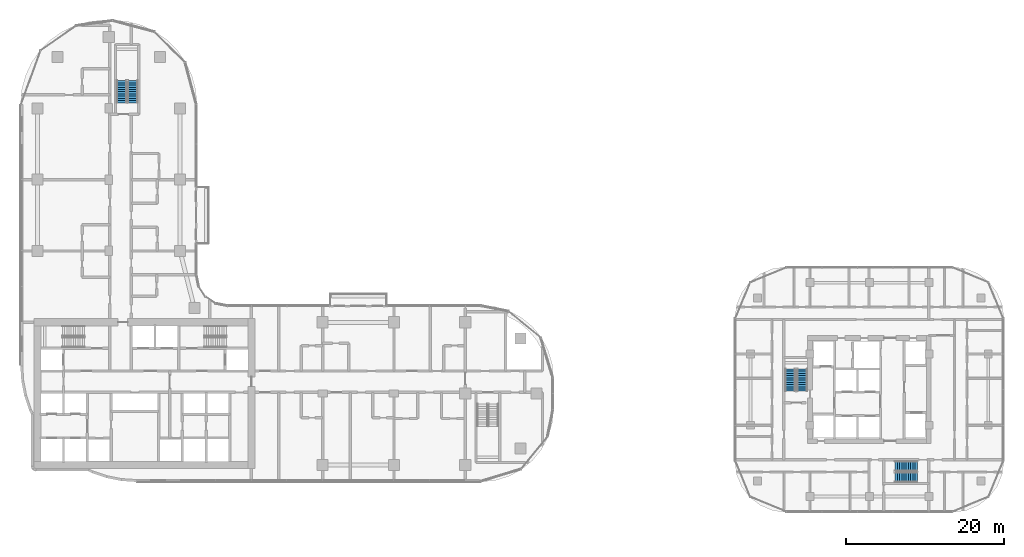
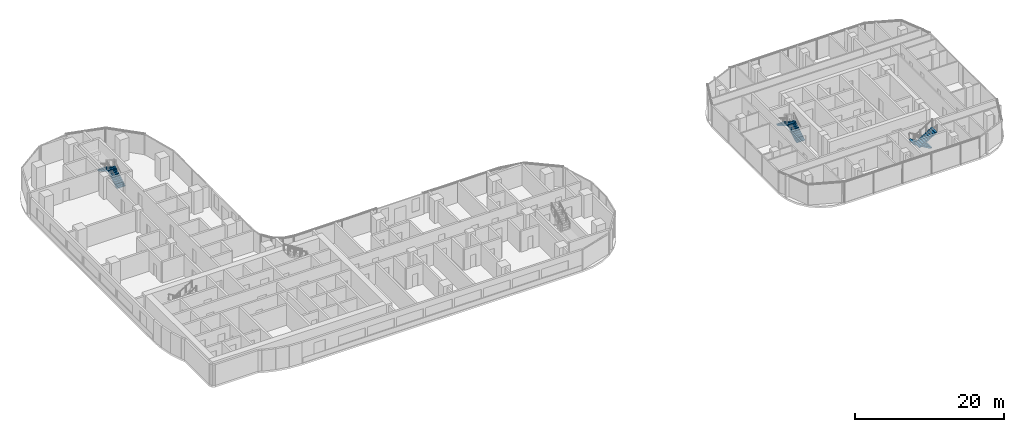
# One storey, part 26 of 32: 6 stair flights, 3 elements without a shape of their own.
"""IFC4 building model written with IfcOpenShell, lengths in metres."""

from ifc_helpers import new_model, si_unit, direction, frame, origin, place, context, subcontext, project, spatial, triangles, source, transform, mapped, material, type_object, element, aggregate, save


model = new_model("IFC4")

# Units and contexts
model_context = context("Model", 3, precision=1e-05, world=origin(), true_north=direction((0.0, 1.0)))
body_context = subcontext(model_context, "Body", "Model", "MODEL_VIEW")
ifc_project = project(units=[si_unit("LENGTHUNIT", "METRE"), si_unit("AREAUNIT", "SQUARE_METRE"), si_unit("VOLUMEUNIT", "CUBIC_METRE"), si_unit("PLANEANGLEUNIT", "RADIAN"), si_unit("MASSUNIT", "GRAM", prefix="KILO")], contexts=[model_context])

# Site, building, storey
site_placement = place(None, origin())
site = spatial("IfcSite", under=ifc_project, at=site_placement, CompositionType="ELEMENT")
building_placement = place(site_placement, origin())
building = spatial("IfcBuilding", under=site, at=building_placement, Name="Ogive Portal Towers", CompositionType="ELEMENT")
storey_placement = place(building_placement, frame((0.0, 0.0, 55.699951171875)))
storey = spatial("IfcBuildingStorey", under=building, at=storey_placement, Name="L12", CompositionType="ELEMENT", Elevation=55.699951171875)

# Stair, stair flights
ifc_material = material(Name="Concrete C40/50", Category="concrete")
stair_type = type_object("IfcStairType", Name="INT-STAIR", PredefinedType="HALF_TURN_STAIR", material=ifc_material)
stair_1_placement = place(storey_placement, origin())
stair_1 = element("IfcStair", 1, at=stair_1_placement, inside=storey, type_object=stair_type, Name="L12 Exit Stair ST-A3", PredefinedType="HALF_TURN_STAIR")
stair_flight_type = type_object("IfcStairFlightType", Name="INT-FLIGHT", PredefinedType="STRAIGHT", material=ifc_material)
shared_shape = source(origin(), body_context, "Body", "Tessellation", [
    triangles([(0.0, -0.650146484375, 0.0), (0.0, -0.376220703125, 0.0), (0.0, -0.192626953125, 0.0), (0.0, -0.081298828125, 0.0), (0.0, -0.024169921875, 0.0), (0.0, -0.003173828125, 0.0), (0.0, 0.0, 0.0), (0.0, 0.0029296875, 0.0), (0.0, 0.02392578125, 0.0), (0.0, 0.0810546875, 0.0), (0.0, 0.1923828125, 0.0), (0.0, 0.3759765625, 0.0), (0.0, 0.64990234375, 0.0), (0.0, -0.650146484375, 0.168212890625), (0.0, -0.376220703125, 0.168212890625), (0.0, -0.192626953125, 0.168212890625), (0.0, -0.081298828125, 0.168212890625), (0.0, -0.024169921875, 0.168212890625), (0.0, -0.003173828125, 0.168212890625), (0.0, 0.0, 0.168212890625), (0.0, 0.0029296875, 0.168212890625), (0.0, 0.02392578125, 0.168212890625), (0.0, 0.0810546875, 0.168212890625), (0.0, 0.1923828125, 0.168212890625), (0.0, 0.3759765625, 0.168212890625), (0.0, 0.64990234375, 0.168212890625), (0.280029296875, -0.650146484375, 0.168212890625), (0.280029296875, -0.376220703125, 0.168212890625), (0.280029296875, -0.192626953125, 0.168212890625), (0.280029296875, -0.081298828125, 0.168212890625), (0.280029296875, -0.024169921875, 0.168212890625), (0.280029296875, -0.003173828125, 0.168212890625), (0.280029296875, 0.0, 0.168212890625), (0.280029296875, 0.0029296875, 0.168212890625), (0.280029296875, 0.02392578125, 0.168212890625), (0.280029296875, 0.0810546875, 0.168212890625), (0.280029296875, 0.1923828125, 0.168212890625), (0.280029296875, 0.3759765625, 0.168212890625), (0.280029296875, 0.64990234375, 0.168212890625), (0.280029296875, -0.650146484375, 0.33642578125), (0.280029296875, -0.376220703125, 0.33642578125), (0.280029296875, -0.192626953125, 0.33642578125), (0.280029296875, -0.081298828125, 0.33642578125), (0.280029296875, -0.024169921875, 0.33642578125), (0.280029296875, -0.003173828125, 0.33642578125), (0.280029296875, 0.0, 0.33642578125), (0.280029296875, 0.0029296875, 0.33642578125), (0.280029296875, 0.02392578125, 0.33642578125), (0.280029296875, 0.0810546875, 0.33642578125), (0.280029296875, 0.1923828125, 0.33642578125), (0.280029296875, 0.3759765625, 0.33642578125), (0.280029296875, 0.64990234375, 0.33642578125), (0.56005859375, -0.650146484375, 0.33642578125), (0.56005859375, -0.376220703125, 0.33642578125), (0.56005859375, -0.192626953125, 0.33642578125), (0.56005859375, -0.081298828125, 0.33642578125), (0.56005859375, -0.024169921875, 0.33642578125), (0.56005859375, -0.003173828125, 0.33642578125), (0.56005859375, 0.0, 0.33642578125), (0.56005859375, 0.0029296875, 0.33642578125), (0.56005859375, 0.02392578125, 0.33642578125), (0.56005859375, 0.0810546875, 0.33642578125), (0.56005859375, 0.1923828125, 0.33642578125), (0.56005859375, 0.3759765625, 0.33642578125), (0.56005859375, 0.64990234375, 0.33642578125), (0.56005859375, -0.650146484375, 0.504638671875), (0.56005859375, -0.376220703125, 0.504638671875), (0.56005859375, -0.192626953125, 0.504638671875), (0.56005859375, -0.081298828125, 0.504638671875), (0.56005859375, -0.024169921875, 0.504638671875), (0.56005859375, -0.003173828125, 0.504638671875), (0.56005859375, 0.0, 0.504638671875), (0.56005859375, 0.0029296875, 0.504638671875), (0.56005859375, 0.02392578125, 0.504638671875), (0.56005859375, 0.0810546875, 0.504638671875), (0.56005859375, 0.1923828125, 0.504638671875), (0.56005859375, 0.3759765625, 0.504638671875), (0.56005859375, 0.64990234375, 0.504638671875), (0.840087890625, -0.650146484375, 0.504638671875), (0.840087890625, -0.376220703125, 0.504638671875), (0.840087890625, -0.192626953125, 0.504638671875), (0.840087890625, -0.081298828125, 0.504638671875), (0.840087890625, -0.024169921875, 0.504638671875), (0.840087890625, -0.003173828125, 0.504638671875), (0.840087890625, 0.0, 0.504638671875), (0.840087890625, 0.0029296875, 0.504638671875), (0.840087890625, 0.02392578125, 0.504638671875), (0.840087890625, 0.0810546875, 0.504638671875), (0.840087890625, 0.1923828125, 0.504638671875), (0.840087890625, 0.3759765625, 0.504638671875), (0.840087890625, 0.64990234375, 0.504638671875), (0.840087890625, -0.650146484375, 0.672607421875), (0.840087890625, -0.376220703125, 0.672607421875), (0.840087890625, -0.192626953125, 0.672607421875), (0.840087890625, -0.081298828125, 0.672607421875), (0.840087890625, -0.024169921875, 0.672607421875), (0.840087890625, -0.003173828125, 0.672607421875), (0.840087890625, 0.0, 0.672607421875), (0.840087890625, 0.0029296875, 0.672607421875), (0.840087890625, 0.02392578125, 0.672607421875), (0.840087890625, 0.0810546875, 0.672607421875), (0.840087890625, 0.1923828125, 0.672607421875), (0.840087890625, 0.3759765625, 0.672607421875), (0.840087890625, 0.64990234375, 0.672607421875), (1.1201171875, -0.650146484375, 0.672607421875), (1.1201171875, -0.376220703125, 0.672607421875), (1.1201171875, -0.192626953125, 0.672607421875), (1.1201171875, -0.081298828125, 0.672607421875), (1.1201171875, -0.024169921875, 0.672607421875), (1.1201171875, -0.003173828125, 0.672607421875), (1.1201171875, 0.0, 0.672607421875), (1.1201171875, 0.0029296875, 0.672607421875), (1.1201171875, 0.02392578125, 0.672607421875), (1.1201171875, 0.0810546875, 0.672607421875), (1.1201171875, 0.1923828125, 0.672607421875), (1.1201171875, 0.3759765625, 0.672607421875), (1.1201171875, 0.64990234375, 0.672607421875), (1.1201171875, -0.650146484375, 0.8408203125), (1.1201171875, -0.376220703125, 0.8408203125), (1.1201171875, -0.192626953125, 0.8408203125), (1.1201171875, -0.081298828125, 0.8408203125), (1.1201171875, -0.024169921875, 0.8408203125), (1.1201171875, -0.003173828125, 0.8408203125), (1.1201171875, 0.0, 0.8408203125), (1.1201171875, 0.0029296875, 0.8408203125), (1.1201171875, 0.02392578125, 0.8408203125), (1.1201171875, 0.0810546875, 0.8408203125), (1.1201171875, 0.1923828125, 0.8408203125), (1.1201171875, 0.3759765625, 0.8408203125), (1.1201171875, 0.64990234375, 0.8408203125), (1.39990234375, -0.650146484375, 0.8408203125), (1.39990234375, -0.376220703125, 0.8408203125), (1.39990234375, -0.192626953125, 0.8408203125), (1.39990234375, -0.081298828125, 0.8408203125), (1.39990234375, -0.024169921875, 0.8408203125), (1.39990234375, -0.003173828125, 0.8408203125), (1.39990234375, 0.0, 0.8408203125), (1.39990234375, 0.0029296875, 0.8408203125), (1.39990234375, 0.02392578125, 0.8408203125), (1.39990234375, 0.0810546875, 0.8408203125), (1.39990234375, 0.1923828125, 0.8408203125), (1.39990234375, 0.3759765625, 0.8408203125), (1.39990234375, 0.64990234375, 0.8408203125), (1.39990234375, -0.650146484375, 1.009033203125), (1.39990234375, -0.376220703125, 1.009033203125), (1.39990234375, -0.192626953125, 1.009033203125), (1.39990234375, -0.081298828125, 1.009033203125), (1.39990234375, -0.024169921875, 1.009033203125), (1.39990234375, -0.003173828125, 1.009033203125), (1.39990234375, 0.0, 1.009033203125), (1.39990234375, 0.0029296875, 1.009033203125), (1.39990234375, 0.02392578125, 1.009033203125), (1.39990234375, 0.0810546875, 1.009033203125), (1.39990234375, 0.1923828125, 1.009033203125), (1.39990234375, 0.3759765625, 1.009033203125), (1.39990234375, 0.64990234375, 1.009033203125), (1.679931640625, -0.650146484375, 1.009033203125), (1.679931640625, -0.376220703125, 1.009033203125), (1.679931640625, -0.192626953125, 1.009033203125), (1.679931640625, -0.081298828125, 1.009033203125), (1.679931640625, -0.024169921875, 1.009033203125), (1.679931640625, -0.003173828125, 1.009033203125), (1.679931640625, 0.0, 1.009033203125), (1.679931640625, 0.0029296875, 1.009033203125), (1.679931640625, 0.02392578125, 1.009033203125), (1.679931640625, 0.0810546875, 1.009033203125), (1.679931640625, 0.1923828125, 1.009033203125), (1.679931640625, 0.3759765625, 1.009033203125), (1.679931640625, 0.64990234375, 1.009033203125), (1.679931640625, -0.650146484375, 1.17724609375), (1.679931640625, -0.376220703125, 1.17724609375), (1.679931640625, -0.192626953125, 1.17724609375), (1.679931640625, -0.081298828125, 1.17724609375), (1.679931640625, -0.024169921875, 1.17724609375), (1.679931640625, -0.003173828125, 1.17724609375), (1.679931640625, 0.0, 1.17724609375), (1.679931640625, 0.0029296875, 1.17724609375), (1.679931640625, 0.02392578125, 1.17724609375), (1.679931640625, 0.0810546875, 1.17724609375), (1.679931640625, 0.1923828125, 1.17724609375), (1.679931640625, 0.3759765625, 1.17724609375), (1.679931640625, 0.64990234375, 1.17724609375), (1.9599609375, -0.650146484375, 1.17724609375), (1.9599609375, -0.376220703125, 1.17724609375), (1.9599609375, -0.192626953125, 1.17724609375), (1.9599609375, -0.081298828125, 1.17724609375), (1.9599609375, -0.024169921875, 1.17724609375), (1.9599609375, -0.003173828125, 1.17724609375), (1.9599609375, 0.0, 1.17724609375), (1.9599609375, 0.0029296875, 1.17724609375), (1.9599609375, 0.02392578125, 1.17724609375), (1.9599609375, 0.0810546875, 1.17724609375), (1.9599609375, 0.1923828125, 1.17724609375), (1.9599609375, 0.3759765625, 1.17724609375), (1.9599609375, 0.64990234375, 1.17724609375), (1.9599609375, -0.650146484375, 1.345458984375), (1.9599609375, -0.376220703125, 1.345458984375), (1.9599609375, -0.192626953125, 1.345458984375), (1.9599609375, -0.081298828125, 1.345458984375), (1.9599609375, -0.024169921875, 1.345458984375), (1.9599609375, -0.003173828125, 1.345458984375), (1.9599609375, 0.0, 1.345458984375), (1.9599609375, 0.0029296875, 1.345458984375), (1.9599609375, 0.02392578125, 1.345458984375), (1.9599609375, 0.0810546875, 1.345458984375), (1.9599609375, 0.1923828125, 1.345458984375), (1.9599609375, 0.3759765625, 1.345458984375), (1.9599609375, 0.64990234375, 1.345458984375), (2.239990234375, -0.650146484375, 1.345458984375), (2.239990234375, -0.376220703125, 1.345458984375), (2.239990234375, -0.192626953125, 1.345458984375), (2.239990234375, -0.081298828125, 1.345458984375), (2.239990234375, -0.024169921875, 1.345458984375), (2.239990234375, -0.003173828125, 1.345458984375), (2.239990234375, 0.0, 1.345458984375), (2.239990234375, 0.0029296875, 1.345458984375), (2.239990234375, 0.02392578125, 1.345458984375), (2.239990234375, 0.0810546875, 1.345458984375), (2.239990234375, 0.1923828125, 1.345458984375), (2.239990234375, 0.3759765625, 1.345458984375), (2.239990234375, 0.64990234375, 1.345458984375), (2.239990234375, -0.650146484375, 1.513671875), (2.239990234375, -0.376220703125, 1.513671875), (2.239990234375, -0.192626953125, 1.513671875), (2.239990234375, -0.081298828125, 1.513671875), (2.239990234375, -0.024169921875, 1.513671875), (2.239990234375, -0.003173828125, 1.513671875), (2.239990234375, 0.0, 1.513671875), (2.239990234375, 0.0029296875, 1.513671875), (2.239990234375, 0.02392578125, 1.513671875), (2.239990234375, 0.0810546875, 1.513671875), (2.239990234375, 0.1923828125, 1.513671875), (2.239990234375, 0.3759765625, 1.513671875), (2.239990234375, 0.64990234375, 1.513671875), (2.52001953125, -0.650146484375, 1.513671875), (2.52001953125, -0.376220703125, 1.513671875), (2.52001953125, -0.192626953125, 1.513671875), (2.52001953125, -0.081298828125, 1.513671875), (2.52001953125, -0.024169921875, 1.513671875), (2.52001953125, -0.003173828125, 1.513671875), (2.52001953125, 0.0, 1.513671875), (2.52001953125, 0.0029296875, 1.513671875), (2.52001953125, 0.02392578125, 1.513671875), (2.52001953125, 0.0810546875, 1.513671875), (2.52001953125, 0.1923828125, 1.513671875), (2.52001953125, 0.3759765625, 1.513671875), (2.52001953125, 0.64990234375, 1.513671875), (2.52001953125, -0.650146484375, 1.681884765625), (2.52001953125, -0.376220703125, 1.681884765625), (2.52001953125, -0.192626953125, 1.681884765625), (2.52001953125, -0.081298828125, 1.681884765625), (2.52001953125, -0.024169921875, 1.681884765625), (2.52001953125, -0.003173828125, 1.681884765625), (2.52001953125, 0.0, 1.681884765625), (2.52001953125, 0.0029296875, 1.681884765625), (2.52001953125, 0.02392578125, 1.681884765625), (2.52001953125, 0.0810546875, 1.681884765625), (2.52001953125, 0.1923828125, 1.681884765625), (2.52001953125, 0.3759765625, 1.681884765625), (2.52001953125, 0.64990234375, 1.681884765625), (2.800048828125, -0.650146484375, 1.681884765625), (2.800048828125, -0.376220703125, 1.681884765625), (2.800048828125, -0.192626953125, 1.681884765625), (2.800048828125, -0.081298828125, 1.681884765625), (2.800048828125, -0.024169921875, 1.681884765625), (2.800048828125, -0.003173828125, 1.681884765625), (2.800048828125, 0.0, 1.681884765625), (2.800048828125, 0.0029296875, 1.681884765625), (2.800048828125, 0.02392578125, 1.681884765625), (2.800048828125, 0.0810546875, 1.681884765625), (2.800048828125, 0.1923828125, 1.681884765625), (2.800048828125, 0.3759765625, 1.681884765625), (2.800048828125, 0.64990234375, 1.681884765625), (2.800048828125, -0.650146484375, 1.5068359375), (2.800048828125, -0.376220703125, 1.5068359375), (2.800048828125, -0.192626953125, 1.5068359375), (2.800048828125, -0.081298828125, 1.5068359375), (2.800048828125, -0.024169921875, 1.5068359375), (2.800048828125, -0.003173828125, 1.5068359375), (2.800048828125, 0.0, 1.5068359375), (2.800048828125, 0.0029296875, 1.5068359375), (2.800048828125, 0.02392578125, 1.5068359375), (2.800048828125, 0.0810546875, 1.5068359375), (2.800048828125, 0.1923828125, 1.5068359375), (2.800048828125, 0.3759765625, 1.5068359375), (2.800048828125, 0.64990234375, 1.5068359375), (0.291015625, -0.650146484375, 0.0), (0.291015625, -0.376220703125, 0.0), (0.291015625, -0.192626953125, 0.0), (0.291015625, -0.081298828125, 0.0), (0.291015625, -0.024169921875, 0.0), (0.291015625, -0.003173828125, 0.0), (0.291015625, 0.0, 0.0), (0.291015625, 0.0029296875, 0.0), (0.291015625, 0.02392578125, 0.0), (0.291015625, 0.0810546875, 0.0), (0.291015625, 0.1923828125, 0.0), (0.291015625, 0.3759765625, 0.0), (0.291015625, 0.64990234375, 0.0)], [[1, 14, 15], [1, 15, 2], [2, 15, 16], [2, 16, 3], [3, 16, 17], [3, 17, 4], [4, 17, 18], [4, 18, 5], [5, 18, 19], [5, 19, 6], [6, 19, 20], [6, 20, 7], [7, 20, 21], [7, 21, 8], [8, 21, 22], [8, 22, 9], [9, 22, 23], [9, 23, 10], [10, 23, 24], [10, 24, 11], [11, 24, 25], [11, 25, 12], [12, 25, 26], [12, 26, 13], [14, 27, 28], [14, 28, 15], [15, 28, 29], [15, 29, 16], [16, 29, 30], [16, 30, 17], [17, 30, 31], [17, 31, 18], [18, 31, 32], [18, 32, 19], [19, 32, 33], [19, 33, 20], [20, 33, 34], [20, 34, 21], [21, 34, 35], [21, 35, 22], [22, 35, 36], [22, 36, 23], [23, 36, 37], [23, 37, 24], [24, 37, 38], [24, 38, 25], [25, 38, 39], [25, 39, 26], [27, 40, 41], [27, 41, 28], [28, 41, 42], [28, 42, 29], [29, 42, 43], [29, 43, 30], [30, 43, 44], [30, 44, 31], [31, 44, 45], [31, 45, 32], [32, 45, 46], [32, 46, 33], [33, 46, 47], [33, 47, 34], [34, 47, 48], [34, 48, 35], [35, 48, 49], [35, 49, 36], [36, 49, 50], [36, 50, 37], [37, 50, 51], [37, 51, 38], [38, 51, 52], [38, 52, 39], [40, 53, 54], [40, 54, 41], [41, 54, 55], [41, 55, 42], [42, 55, 56], [42, 56, 43], [43, 56, 57], [43, 57, 44], [44, 57, 58], [44, 58, 45], [45, 58, 59], [45, 59, 46], [46, 59, 60], [46, 60, 47], [47, 60, 61], [47, 61, 48], [48, 61, 62], [48, 62, 49], [49, 62, 63], [49, 63, 50], [50, 63, 64], [50, 64, 51], [51, 64, 65], [51, 65, 52], [53, 66, 67], [53, 67, 54], [54, 67, 68], [54, 68, 55], [55, 68, 69], [55, 69, 56], [56, 69, 70], [56, 70, 57], [57, 70, 71], [57, 71, 58], [58, 71, 72], [58, 72, 59], [59, 72, 73], [59, 73, 60], [60, 73, 74], [60, 74, 61], [61, 74, 75], [61, 75, 62], [62, 75, 76], [62, 76, 63], [63, 76, 77], [63, 77, 64], [64, 77, 78], [64, 78, 65], [66, 79, 80], [66, 80, 67], [67, 80, 81], [67, 81, 68], [68, 81, 82], [68, 82, 69], [69, 82, 83], [69, 83, 70], [70, 83, 84], [70, 84, 71], [71, 84, 85], [71, 85, 72], [72, 85, 86], [72, 86, 73], [73, 86, 87], [73, 87, 74], [74, 87, 88], [74, 88, 75], [75, 88, 89], [75, 89, 76], [76, 89, 90], [76, 90, 77], [77, 90, 91], [77, 91, 78], [79, 92, 93], [79, 93, 80], [80, 93, 94], [80, 94, 81], [81, 94, 95], [81, 95, 82], [82, 95, 96], [82, 96, 83], [83, 96, 97], [83, 97, 84], [84, 97, 98], [84, 98, 85], [85, 98, 99], [85, 99, 86], [86, 99, 100], [86, 100, 87], [87, 100, 101], [87, 101, 88], [88, 101, 102], [88, 102, 89], [89, 102, 103], [89, 103, 90], [90, 103, 104], [90, 104, 91], [92, 105, 106], [92, 106, 93], [93, 106, 107], [93, 107, 94], [94, 107, 108], [94, 108, 95], [95, 108, 109], [95, 109, 96], [96, 109, 110], [96, 110, 97], [97, 110, 111], [97, 111, 98], [98, 111, 112], [98, 112, 99], [99, 112, 113], [99, 113, 100], [100, 113, 114], [100, 114, 101], [101, 114, 115], [101, 115, 102], [102, 115, 116], [102, 116, 103], [103, 116, 117], [103, 117, 104], [105, 118, 119], [105, 119, 106], [106, 119, 120], [106, 120, 107], [107, 120, 121], [107, 121, 108], [108, 121, 122], [108, 122, 109], [109, 122, 123], [109, 123, 110], [110, 123, 124], [110, 124, 111], [111, 124, 125], [111, 125, 112], [112, 125, 126], [112, 126, 113], [113, 126, 127], [113, 127, 114], [114, 127, 128], [114, 128, 115], [115, 128, 129], [115, 129, 116], [116, 129, 130], [116, 130, 117], [118, 131, 132], [118, 132, 119], [119, 132, 133], [119, 133, 120], [120, 133, 134], [120, 134, 121], [121, 134, 135], [121, 135, 122], [122, 135, 136], [122, 136, 123], [123, 136, 137], [123, 137, 124], [124, 137, 138], [124, 138, 125], [125, 138, 139], [125, 139, 126], [126, 139, 140], [126, 140, 127], [127, 140, 141], [127, 141, 128], [128, 141, 142], [128, 142, 129], [129, 142, 143], [129, 143, 130], [131, 144, 145], [131, 145, 132], [132, 145, 146], [132, 146, 133], [133, 146, 147], [133, 147, 134], [134, 147, 148], [134, 148, 135], [135, 148, 149], [135, 149, 136], [136, 149, 150], [136, 150, 137], [137, 150, 151], [137, 151, 138], [138, 151, 152], [138, 152, 139], [139, 152, 153], [139, 153, 140], [140, 153, 154], [140, 154, 141], [141, 154, 155], [141, 155, 142], [142, 155, 156], [142, 156, 143], [144, 157, 158], [144, 158, 145], [145, 158, 159], [145, 159, 146], [146, 159, 160], [146, 160, 147], [147, 160, 161], [147, 161, 148], [148, 161, 162], [148, 162, 149], [149, 162, 163], [149, 163, 150], [150, 163, 164], [150, 164, 151], [151, 164, 165], [151, 165, 152], [152, 165, 166], [152, 166, 153], [153, 166, 167], [153, 167, 154], [154, 167, 168], [154, 168, 155], [155, 168, 169], [155, 169, 156], [157, 170, 171], [157, 171, 158], [158, 171, 172], [158, 172, 159], [159, 172, 173], [159, 173, 160], [160, 173, 174], [160, 174, 161], [161, 174, 175], [161, 175, 162], [162, 175, 176], [162, 176, 163], [163, 176, 177], [163, 177, 164], [164, 177, 178], [164, 178, 165], [165, 178, 179], [165, 179, 166], [166, 179, 180], [166, 180, 167], [167, 180, 181], [167, 181, 168], [168, 181, 182], [168, 182, 169], [170, 183, 184], [170, 184, 171], [171, 184, 185], [171, 185, 172], [172, 185, 186], [172, 186, 173], [173, 186, 187], [173, 187, 174], [174, 187, 188], [174, 188, 175], [175, 188, 189], [175, 189, 176], [176, 189, 190], [176, 190, 177], [177, 190, 191], [177, 191, 178], [178, 191, 192], [178, 192, 179], [179, 192, 193], [179, 193, 180], [180, 193, 194], [180, 194, 181], [181, 194, 195], [181, 195, 182], [183, 196, 197], [183, 197, 184], [184, 197, 198], [184, 198, 185], [185, 198, 199], [185, 199, 186], [186, 199, 200], [186, 200, 187], [187, 200, 201], [187, 201, 188], [188, 201, 202], [188, 202, 189], [189, 202, 203], [189, 203, 190], [190, 203, 204], [190, 204, 191], [191, 204, 205], [191, 205, 192], [192, 205, 206], [192, 206, 193], [193, 206, 207], [193, 207, 194], [194, 207, 208], [194, 208, 195], [196, 209, 210], [196, 210, 197], [197, 210, 211], [197, 211, 198], [198, 211, 212], [198, 212, 199], [199, 212, 213], [199, 213, 200], [200, 213, 214], [200, 214, 201], [201, 214, 215], [201, 215, 202], [202, 215, 216], [202, 216, 203], [203, 216, 217], [203, 217, 204], [204, 217, 218], [204, 218, 205], [205, 218, 219], [205, 219, 206], [206, 219, 220], [206, 220, 207], [207, 220, 221], [207, 221, 208], [209, 222, 223], [209, 223, 210], [210, 223, 224], [210, 224, 211], [211, 224, 225], [211, 225, 212], [212, 225, 226], [212, 226, 213], [213, 226, 227], [213, 227, 214], [214, 227, 228], [214, 228, 215], [215, 228, 229], [215, 229, 216], [216, 229, 230], [216, 230, 217], [217, 230, 231], [217, 231, 218], [218, 231, 232], [218, 232, 219], [219, 232, 233], [219, 233, 220], [220, 233, 234], [220, 234, 221], [222, 235, 236], [222, 236, 223], [223, 236, 237], [223, 237, 224], [224, 237, 238], [224, 238, 225], [225, 238, 239], [225, 239, 226], [226, 239, 240], [226, 240, 227], [227, 240, 241], [227, 241, 228], [228, 241, 242], [228, 242, 229], [229, 242, 243], [229, 243, 230], [230, 243, 244], [230, 244, 231], [231, 244, 245], [231, 245, 232], [232, 245, 246], [232, 246, 233], [233, 246, 247], [233, 247, 234], [235, 248, 249], [235, 249, 236], [236, 249, 250], [236, 250, 237], [237, 250, 251], [237, 251, 238], [238, 251, 252], [238, 252, 239], [239, 252, 253], [239, 253, 240], [240, 253, 254], [240, 254, 241], [241, 254, 255], [241, 255, 242], [242, 255, 256], [242, 256, 243], [243, 256, 257], [243, 257, 244], [244, 257, 258], [244, 258, 245], [245, 258, 259], [245, 259, 246], [246, 259, 260], [246, 260, 247], [248, 261, 262], [248, 262, 249], [249, 262, 263], [249, 263, 250], [250, 263, 264], [250, 264, 251], [251, 264, 265], [251, 265, 252], [252, 265, 266], [252, 266, 253], [253, 266, 267], [253, 267, 254], [254, 267, 268], [254, 268, 255], [255, 268, 269], [255, 269, 256], [256, 269, 270], [256, 270, 257], [257, 270, 271], [257, 271, 258], [258, 271, 272], [258, 272, 259], [259, 272, 273], [259, 273, 260], [261, 274, 275], [261, 275, 262], [262, 275, 276], [262, 276, 263], [263, 276, 277], [263, 277, 264], [264, 277, 278], [264, 278, 265], [265, 278, 279], [265, 279, 266], [266, 279, 280], [266, 280, 267], [267, 280, 281], [267, 281, 268], [268, 281, 282], [268, 282, 269], [269, 282, 283], [269, 283, 270], [270, 283, 284], [270, 284, 271], [271, 284, 285], [271, 285, 272], [272, 285, 286], [272, 286, 273], [274, 287, 288], [274, 288, 275], [275, 288, 289], [275, 289, 276], [276, 289, 290], [276, 290, 277], [277, 290, 291], [277, 291, 278], [278, 291, 292], [278, 292, 279], [279, 292, 293], [279, 293, 280], [280, 293, 294], [280, 294, 281], [281, 294, 295], [281, 295, 282], [282, 295, 296], [282, 296, 283], [283, 296, 297], [283, 297, 284], [284, 297, 298], [284, 298, 285], [285, 298, 299], [285, 299, 286], [287, 1, 2], [287, 2, 288], [288, 2, 3], [288, 3, 289], [289, 3, 4], [289, 4, 290], [290, 4, 5], [290, 5, 291], [291, 5, 6], [291, 6, 292], [292, 6, 7], [292, 7, 293], [293, 7, 8], [293, 8, 294], [294, 8, 9], [294, 9, 295], [295, 9, 10], [295, 10, 296], [296, 10, 11], [296, 11, 297], [297, 11, 12], [297, 12, 298], [298, 12, 13], [298, 13, 299], [1, 287, 274], [13, 286, 299], [274, 261, 248], [286, 260, 273], [274, 248, 235], [286, 247, 260], [274, 235, 222], [286, 234, 247], [274, 222, 209], [286, 221, 234], [209, 196, 183], [221, 195, 208], [274, 209, 183], [286, 195, 221], [183, 170, 157], [195, 169, 182], [274, 183, 157], [286, 169, 195], [157, 144, 131], [169, 143, 156], [274, 157, 131], [286, 143, 169], [131, 118, 105], [143, 117, 130], [274, 131, 105], [286, 117, 143], [1, 274, 105], [13, 117, 286], [105, 92, 79], [117, 91, 104], [79, 66, 53], [91, 65, 78], [105, 79, 53], [117, 65, 91], [53, 40, 27], [65, 39, 52], [105, 53, 27], [117, 39, 65], [1, 105, 27], [13, 39, 117], [27, 14, 1], [39, 13, 26]], closed=True),
])
stair_flight_1_placement = place(storey_placement, frame((43.550048828125, 67.199951171875, 0.0), z_axis=(0.0, 0.0, 1.0), x_axis=(0.0, 1.0, 0.0)))
stair_flight_1 = element("IfcStairFlight", 2, at=stair_flight_1_placement, type_object=stair_flight_type, Name="ST-A3 flight 1", NumberOfRisers=11, NumberOfTreads=10, PredefinedType="STRAIGHT", RiserHeight=0.168181818, TreadLength=0.28, context=body_context, shape_type="MappedRepresentation", body=[
    mapped(shared_shape, transform((0.0, 0.0, 0.0), scale=1.0)),
])
stair_flight_2_placement = place(storey_placement, frame((42.14990234375, 70.0, 1.85009765625), z_axis=(0.0, 0.0, 1.0), x_axis=(0.0, -1.0, 0.0)))
stair_flight_2 = element("IfcStairFlight", 3, at=stair_flight_2_placement, type_object=stair_flight_type, Name="ST-A3 flight 2", NumberOfRisers=11, NumberOfTreads=10, PredefinedType="STRAIGHT", RiserHeight=0.168181818, TreadLength=0.28, context=body_context, shape_type="MappedRepresentation", body=[
    mapped(shared_shape, transform((0.0, 0.0, 0.0), scale=1.0)),
])
aggregate(stair_1, [stair_flight_1, stair_flight_2])

stair_2_placement = place(storey_placement, origin())
stair_2 = element("IfcStair", 4, at=stair_2_placement, inside=storey, type_object=stair_type, Name="L12 Exit Stair ST-B1", PredefinedType="HALF_TURN_STAIR")
stair_flight_3_placement = place(storey_placement, frame((128.050048828125, 30.800048828125, 0.0), z_axis=(0.0, 0.0, 1.0), x_axis=(0.0, 1.0, 0.0)))
stair_flight_3 = element("IfcStairFlight", 5, at=stair_flight_3_placement, type_object=stair_flight_type, Name="ST-B1 flight 1", NumberOfRisers=11, NumberOfTreads=10, PredefinedType="STRAIGHT", RiserHeight=0.168181818, TreadLength=0.28, context=body_context, shape_type="MappedRepresentation", body=[
    mapped(shared_shape, transform((0.0, 0.0, 0.0), scale=1.0)),
])
stair_flight_4_placement = place(storey_placement, frame((126.5, 33.60009765625, 1.85009765625), z_axis=(0.0, 0.0, 1.0), x_axis=(0.0, -1.0, 0.0)))
stair_flight_4 = element("IfcStairFlight", 6, at=stair_flight_4_placement, type_object=stair_flight_type, Name="ST-B1 flight 2", NumberOfRisers=11, NumberOfTreads=10, PredefinedType="STRAIGHT", RiserHeight=0.168181818, TreadLength=0.28, context=body_context, shape_type="MappedRepresentation", body=[
    mapped(shared_shape, transform((0.0, 0.0, 0.0), scale=1.0)),
])
aggregate(stair_2, [stair_flight_3, stair_flight_4])

stair_3_placement = place(storey_placement, origin())
stair_3 = element("IfcStair", 7, at=stair_3_placement, inside=storey, type_object=stair_type, Name="L12 Exit Stair ST-B2", PredefinedType="HALF_TURN_STAIR")
stair_flight_5_placement = place(storey_placement, frame((142.550048828125, 21.35009765625, 0.0), z_axis=(0.0, 0.0, 1.0), x_axis=(-1.0, 0.0, 0.0)))
stair_flight_5 = element("IfcStairFlight", 8, at=stair_flight_5_placement, type_object=stair_flight_type, Name="ST-B2 flight 1", NumberOfRisers=11, NumberOfTreads=10, PredefinedType="STRAIGHT", RiserHeight=0.168181818, TreadLength=0.28, context=body_context, shape_type="MappedRepresentation", body=[
    mapped(shared_shape, transform((0.0, 0.0, 0.0), scale=1.0)),
])
stair_flight_6_placement = place(storey_placement, frame((139.75, 19.949951171875, 1.85009765625), z_axis=(0.0, 0.0, 1.0), x_axis=(1.0, 0.0, 0.0)))
stair_flight_6 = element("IfcStairFlight", 9, at=stair_flight_6_placement, type_object=stair_flight_type, Name="ST-B2 flight 2", NumberOfRisers=11, NumberOfTreads=10, PredefinedType="STRAIGHT", RiserHeight=0.168181818, TreadLength=0.28, context=body_context, shape_type="MappedRepresentation", body=[
    mapped(shared_shape, transform((0.0, 0.0, 0.0), scale=1.0)),
])
aggregate(stair_3, [stair_flight_5, stair_flight_6])

save(model, "model.ifc")
